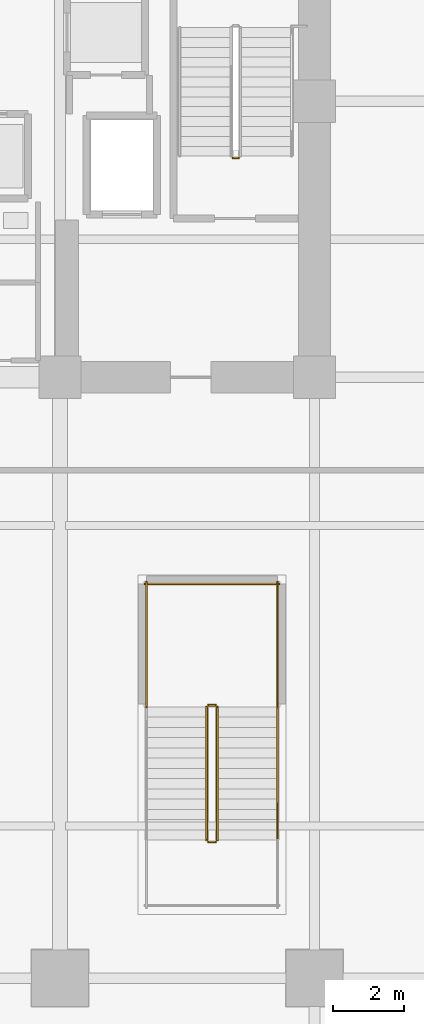
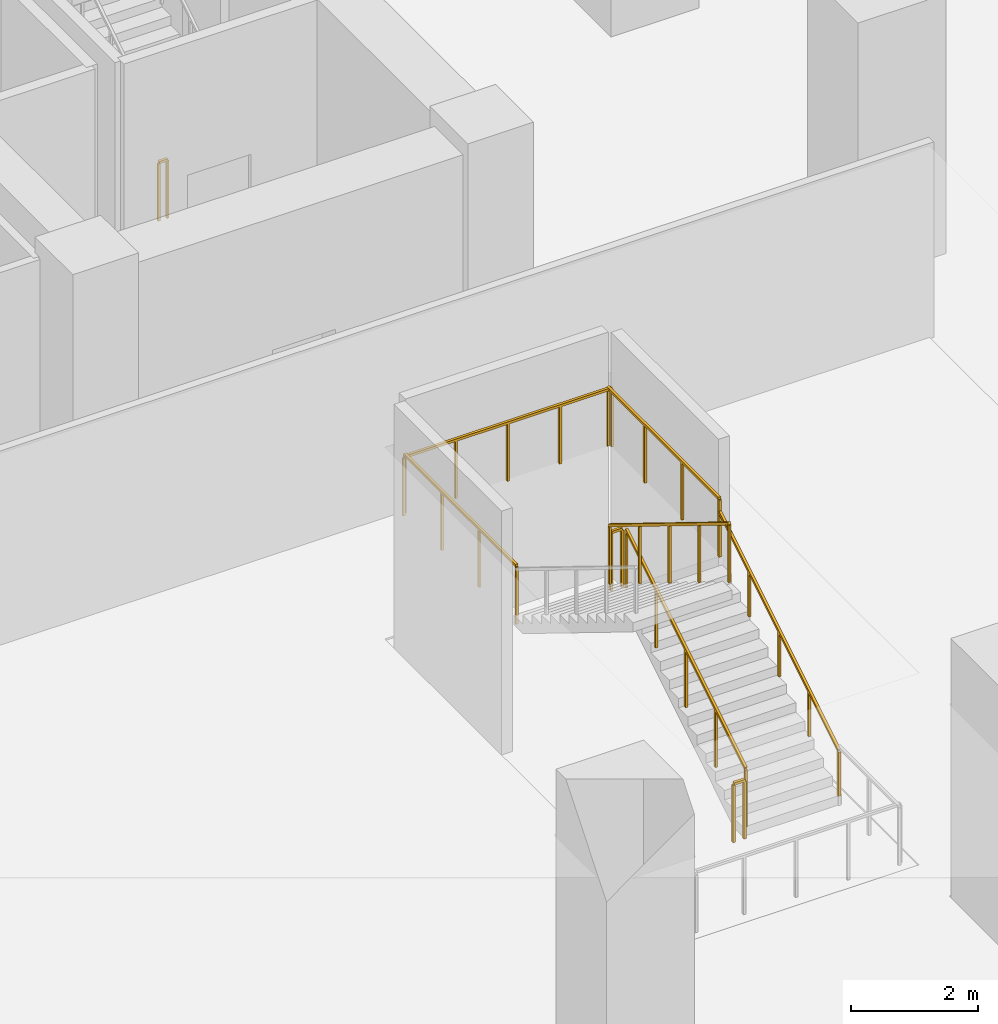
# One storey, part 21 of 27: 9 railings.
"""IFC4 building model written with IfcOpenShell, lengths in metres."""

from ifc_helpers import new_model, si_unit, direction, frame, origin, origin_2d, place, context, subcontext, project, spatial, rectangle, extrude, material, type_object, element, save


model = new_model("IFC4")

# Units and contexts
model_context = context("Model", 3, precision=1e-05, world=origin(), true_north=direction((0.0, 1.0)))
body_context = subcontext(model_context, "Body", "Model", "MODEL_VIEW")
ifc_project = project(units=[si_unit("LENGTHUNIT", "METRE"), si_unit("AREAUNIT", "SQUARE_METRE"), si_unit("VOLUMEUNIT", "CUBIC_METRE"), si_unit("PLANEANGLEUNIT", "RADIAN"), si_unit("MASSUNIT", "GRAM", prefix="KILO")], contexts=[model_context])

# Site, building, storey
site_placement = place(None, origin())
site = spatial("IfcSite", under=ifc_project, at=site_placement, CompositionType="ELEMENT")
building_placement = place(site_placement, origin())
building = spatial("IfcBuilding", under=site, at=building_placement, Name="Zarnakvel Exchange Tower", CompositionType="ELEMENT")
storey_placement = place(building_placement, origin())
storey = spatial("IfcBuildingStorey", under=building, at=storey_placement, Name="L00", CompositionType="ELEMENT", Elevation=0.0)

# Railings
ifc_material_1 = material(Name="Brushed Stainless Steel", Category="steel")
railing_type_1 = type_object("IfcRailingType", Name="HR-01", PredefinedType="HANDRAIL", material=ifc_material_1)
railing_1_placement = place(storey_placement, frame((13.35009765625, -14.300048828125, 0.178466796875)))
element("IfcRailing", 1, at=railing_1_placement, inside=storey, type_object=railing_type_1, Name="L00 ST-06 stair handrail 1", PredefinedType="HANDRAIL", context=body_context, shape_type="SweptSolid", body=[
    extrude(rectangle(XDim=0.048095703125, YDim=0.048095703125, at=origin_2d()), frame((0.0, 0.0, 0.8759765625), z_axis=(0.0, 0.851504923564, 0.524346607834), x_axis=(-1.0, 0.0, 0.0)), (0.0, 0.0, 1.0), 4.427490234375),
    extrude(rectangle(XDim=0.0419921875, YDim=0.0419921875, at=origin_2d()), origin(), (0.0, 0.0, 1.0), 0.851806640625),
    extrude(rectangle(XDim=0.0419921875, YDim=0.0419921875, at=origin_2d()), frame((0.0, 0.9423828125, 0.580322265625)), (0.0, 0.0, 1.0), 0.851806640625),
    extrude(rectangle(XDim=0.0419921875, YDim=0.0419921875, at=origin_2d()), frame((0.0, 1.885009765625, 1.16064453125)), (0.0, 0.0, 1.0), 0.851806640625),
    extrude(rectangle(XDim=0.0419921875, YDim=0.0419921875, at=origin_2d()), frame((0.0, 2.82763671875, 1.7412109375)), (0.0, 0.0, 1.0), 0.851806640625),
    extrude(rectangle(XDim=0.0419921875, YDim=0.0419921875, at=origin_2d()), frame((0.0, 3.77001953125, 2.321533203125)), (0.0, 0.0, 1.0), 0.851806640625),
])
ifc_material_2 = material(Name="Architectural Bronze Anodised Aluminium", Category="aluminium")
railing_type_2 = type_object("IfcRailingType", Name="SG-01", PredefinedType="GUARDRAIL", material=ifc_material_2)
railing_2_placement = place(storey_placement, frame((12.25, 5.0, 0.0)))
element("IfcRailing", 2, at=railing_2_placement, inside=storey, type_object=railing_type_2, Name="L00 ST-02 stair guard 4", PredefinedType="GUARDRAIL", context=body_context, shape_type="SweptSolid", body=[
    extrude(rectangle(XDim=0.048095703125, YDim=0.048095703125, at=origin_2d()), frame((0.0, 0.0, 1.1259765625), z_axis=(-1.0, 0.0, 0.0), x_axis=(0.0, -1.0, 0.0)), (0.0, 0.0, 1.0), 0.159912109375),
    extrude(rectangle(XDim=0.0419921875, YDim=0.0419921875, at=origin_2d()), origin(), (0.0, 0.0, 1.0), 1.101806640625),
    extrude(rectangle(XDim=0.0419921875, YDim=0.0419921875, at=origin_2d()), frame((-0.159912109375, 0.0, 0.0)), (0.0, 0.0, 1.0), 1.101806640625),
])
railing_3_placement = place(storey_placement, frame((11.64990234375, -14.300048828125, 0.178466796875)))
element("IfcRailing", 3, at=railing_3_placement, inside=storey, type_object=railing_type_2, Name="L00 ST-06 stair guard 1", PredefinedType="GUARDRAIL", context=body_context, shape_type="SweptSolid", body=[
    extrude(rectangle(XDim=0.048095703125, YDim=0.048095703125, at=origin_2d()), frame((0.0, 0.0, 1.1259765625), z_axis=(0.0, 0.851504923564, 0.524346607834), x_axis=(-1.0, 0.0, 0.0)), (0.0, 0.0, 1.0), 4.427490234375),
    extrude(rectangle(XDim=0.0419921875, YDim=0.0419921875, at=origin_2d()), origin(), (0.0, 0.0, 1.0), 1.101806640625),
    extrude(rectangle(XDim=0.0419921875, YDim=0.0419921875, at=origin_2d()), frame((0.0, 0.9423828125, 0.580322265625)), (0.0, 0.0, 1.0), 1.101806640625),
    extrude(rectangle(XDim=0.0419921875, YDim=0.0419921875, at=origin_2d()), frame((0.0, 1.885009765625, 1.16064453125)), (0.0, 0.0, 1.0), 1.101806640625),
    extrude(rectangle(XDim=0.0419921875, YDim=0.0419921875, at=origin_2d()), frame((0.0, 2.82763671875, 1.7412109375)), (0.0, 0.0, 1.0), 1.101806640625),
    extrude(rectangle(XDim=0.0419921875, YDim=0.0419921875, at=origin_2d()), frame((0.0, 3.77001953125, 2.321533203125)), (0.0, 0.0, 1.0), 1.101806640625),
])
railing_4_placement = place(storey_placement, frame((11.60009765625, -10.47998046875, 2.5)))
element("IfcRailing", 4, at=railing_4_placement, inside=storey, type_object=railing_type_2, Name="L00 ST-06 stair guard 2", PredefinedType="GUARDRAIL", context=body_context, shape_type="SweptSolid", body=[
    extrude(rectangle(XDim=0.048095703125, YDim=0.048095703125, at=origin_2d()), frame((0.0, 0.0, 1.1259765625), z_axis=(-1.0, 0.0, 0.0), x_axis=(0.0, -1.0, 0.0)), (0.0, 0.0, 1.0), 0.2001953125),
    extrude(rectangle(XDim=0.0419921875, YDim=0.0419921875, at=origin_2d()), origin(), (0.0, 0.0, 1.0), 1.101806640625),
    extrude(rectangle(XDim=0.0419921875, YDim=0.0419921875, at=origin_2d()), frame((-0.2001953125, 0.0, 0.0)), (0.0, 0.0, 1.0), 1.101806640625),
])
for number, where, name in (
    (5, (13.35009765625, -10.530029296875, 2.5), "L00 ST-06 stair guard 3"),
    (6, (9.64990234375, -10.530029296875, 2.5), "L00 ST-06 stair guard 4"),
):
    element("IfcRailing", number, at=place(storey_placement, frame(where)), inside=storey, type_object=railing_type_2, Name=name, PredefinedType="GUARDRAIL", context=body_context, shape_type="SweptSolid", body=[
        extrude(rectangle(XDim=0.048095703125, YDim=0.048095703125, at=origin_2d()), frame((0.0, 0.0, 1.1259765625), z_axis=(0.0, 1.0, 0.0), x_axis=(-1.0, 0.0, 0.0)), (0.0, 0.0, 1.0), 3.530029296875),
        extrude(rectangle(XDim=0.0419921875, YDim=0.0419921875, at=origin_2d()), origin(), (0.0, 0.0, 1.0), 1.101806640625),
        extrude(rectangle(XDim=0.0419921875, YDim=0.0419921875, at=origin_2d()), frame((0.0, 1.1767578125, 0.0)), (0.0, 0.0, 1.0), 1.101806640625),
        extrude(rectangle(XDim=0.0419921875, YDim=0.0419921875, at=origin_2d()), frame((0.0, 2.353271484375, 0.0)), (0.0, 0.0, 1.0), 1.101806640625),
        extrude(rectangle(XDim=0.0419921875, YDim=0.0419921875, at=origin_2d()), frame((0.0, 3.530029296875, 0.0)), (0.0, 0.0, 1.0), 1.101806640625),
    ])
railing_5_placement = place(storey_placement, frame((13.39990234375, -7.050048828125, 2.5)))
element("IfcRailing", 7, at=railing_5_placement, inside=storey, type_object=railing_type_2, Name="L00 ST-06 stair guard 5", PredefinedType="GUARDRAIL", context=body_context, shape_type="SweptSolid", body=[
    extrude(rectangle(XDim=0.048095703125, YDim=0.048095703125, at=origin_2d()), frame((0.0, 0.0, 1.1259765625), z_axis=(-1.0, 0.0, 0.0), x_axis=(0.0, -1.0, 0.0)), (0.0, 0.0, 1.0), 3.7998046875),
    extrude(rectangle(XDim=0.0419921875, YDim=0.0419921875, at=origin_2d()), origin(), (0.0, 0.0, 1.0), 1.101806640625),
    extrude(rectangle(XDim=0.0419921875, YDim=0.0419921875, at=origin_2d()), frame((-0.949951171875, 0.0, 0.0)), (0.0, 0.0, 1.0), 1.101806640625),
    extrude(rectangle(XDim=0.0419921875, YDim=0.0419921875, at=origin_2d()), frame((-1.89990234375, 0.0, 0.0)), (0.0, 0.0, 1.0), 1.101806640625),
    extrude(rectangle(XDim=0.0419921875, YDim=0.0419921875, at=origin_2d()), frame((-2.849853515625, 0.0, 0.0)), (0.0, 0.0, 1.0), 1.101806640625),
    extrude(rectangle(XDim=0.0419921875, YDim=0.0419921875, at=origin_2d()), frame((-3.7998046875, 0.0, 0.0)), (0.0, 0.0, 1.0), 1.101806640625),
])
railing_6_placement = place(storey_placement, frame((11.35009765625, -10.530029296875, 2.678466796875)))
element("IfcRailing", 8, at=railing_6_placement, inside=storey, type_object=railing_type_2, Name="L00 ST-06 stair guard 6", PredefinedType="GUARDRAIL", context=body_context, shape_type="SweptSolid", body=[
    extrude(rectangle(XDim=0.048095703125, YDim=0.048095703125, at=origin_2d()), frame((0.0, 0.0, 1.1259765625), z_axis=(0.0, -0.851504923564, 0.524346607834), x_axis=(1.0, 0.0, 0.0)), (0.0, 0.0, 1.0), 4.427490234375),
    extrude(rectangle(XDim=0.0419921875, YDim=0.0419921875, at=origin_2d()), origin(), (0.0, 0.0, 1.0), 1.101806640625),
    extrude(rectangle(XDim=0.0419921875, YDim=0.0419921875, at=origin_2d()), frame((0.0, -0.9423828125, 0.580322265625)), (0.0, 0.0, 1.0), 1.101806640625),
    extrude(rectangle(XDim=0.0419921875, YDim=0.0419921875, at=origin_2d()), frame((0.0, -1.885009765625, 1.16064453125)), (0.0, 0.0, 1.0), 1.101806640625),
    extrude(rectangle(XDim=0.0419921875, YDim=0.0419921875, at=origin_2d()), frame((0.0, -2.82763671875, 1.7412109375)), (0.0, 0.0, 1.0), 1.101806640625),
    extrude(rectangle(XDim=0.0419921875, YDim=0.0419921875, at=origin_2d()), frame((0.0, -3.77001953125, 2.321533203125)), (0.0, 0.0, 1.0), 1.101806640625),
])
railing_7_placement = place(storey_placement, frame((11.60009765625, -14.35009765625, 0.0)))
element("IfcRailing", 9, at=railing_7_placement, inside=storey, type_object=railing_type_2, Name="L00 ST-06 stair guard 7", PredefinedType="GUARDRAIL", context=body_context, shape_type="SweptSolid", body=[
    extrude(rectangle(XDim=0.048095703125, YDim=0.048095703125, at=origin_2d()), frame((0.0, 0.0, 1.1259765625), z_axis=(-1.0, 0.0, 0.0), x_axis=(0.0, -1.0, 0.0)), (0.0, 0.0, 1.0), 0.2001953125),
    extrude(rectangle(XDim=0.0419921875, YDim=0.0419921875, at=origin_2d()), origin(), (0.0, 0.0, 1.0), 1.101806640625),
    extrude(rectangle(XDim=0.0419921875, YDim=0.0419921875, at=origin_2d()), frame((-0.2001953125, 0.0, 0.0)), (0.0, 0.0, 1.0), 1.101806640625),
])

save(model, "model.ifc")
